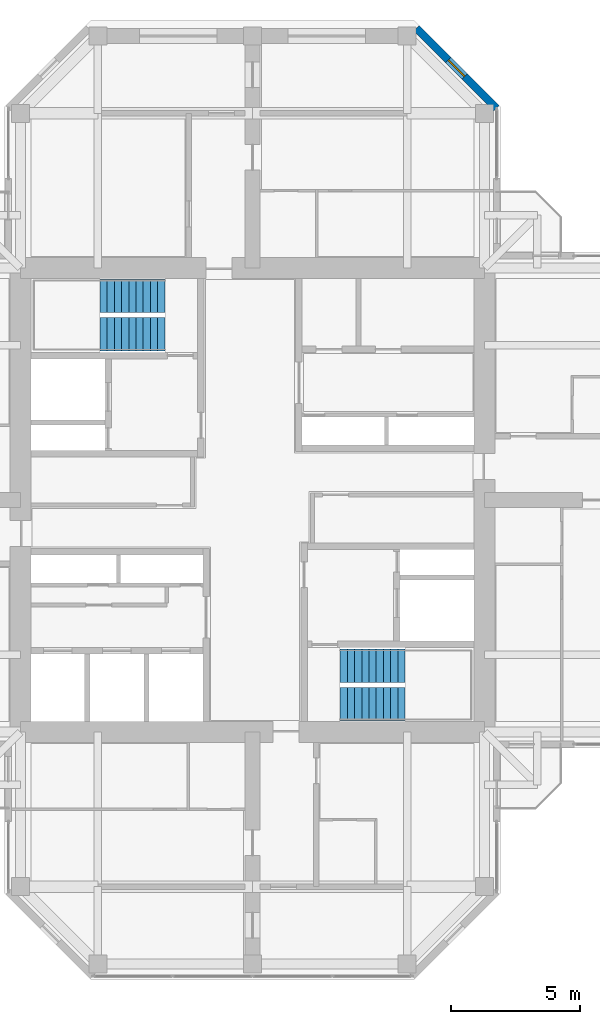
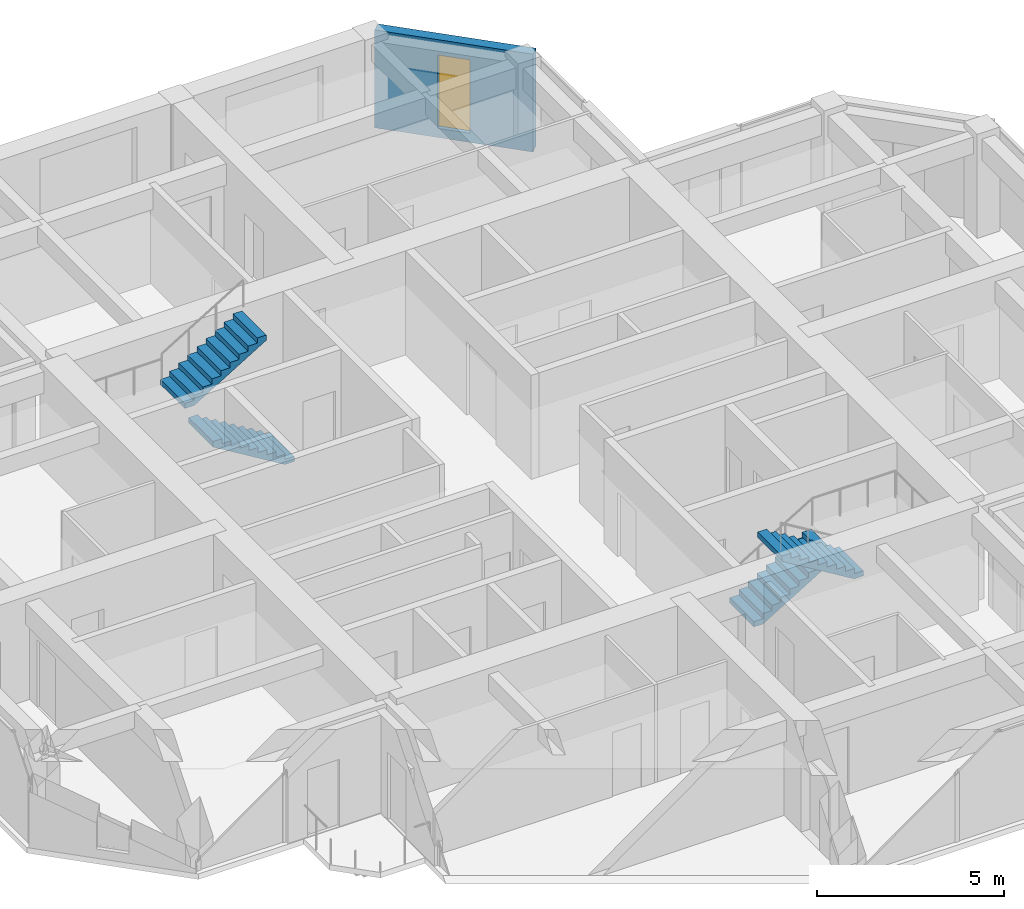
# One storey, part 12 of 13: 4 stair flights, 1 wall, 1 window, 1 opening, 2 elements without a shape of their own.
"""IFC4 building model written with IfcOpenShell, lengths in metres."""

from ifc_helpers import new_model, si_unit, direction, frame, frame_2d, origin, place, context, subcontext, project, spatial, polyline, rectangle, hollow_rectangle, outline, extrude, material, layer, layer_set, constituent, constituent_set, type_object, element, fill, aggregate, save


model = new_model("IFC4")

# Units and contexts
model_context = context("Model", 3, precision=1e-05, world=origin(), true_north=direction((0.0, 1.0)))
body_context = subcontext(model_context, "Body", "Model", "MODEL_VIEW")
ifc_project = project(units=[si_unit("LENGTHUNIT", "METRE"), si_unit("AREAUNIT", "SQUARE_METRE"), si_unit("VOLUMEUNIT", "CUBIC_METRE"), si_unit("PLANEANGLEUNIT", "RADIAN"), si_unit("MASSUNIT", "GRAM", prefix="KILO")], contexts=[model_context])

# Site, building, storey
site_placement = place(None, origin())
site = spatial("IfcSite", under=ifc_project, at=site_placement, CompositionType="ELEMENT")
building_placement = place(site_placement, origin())
building = spatial("IfcBuilding", under=site, at=building_placement, Name="Torre Cruceta", CompositionType="ELEMENT")
storey_placement = place(building_placement, frame((0.0, 0.0, 284.89990234375)))
storey = spatial("IfcBuildingStorey", under=building, at=storey_placement, Name="L74", CompositionType="ELEMENT", Elevation=284.89990234375)

# Wall, opening, window
ifc_material_1 = material(Name="Concrete G30 (fck 30 MPa)", Category="concrete")
ifc_layer = layer(ifc_material_1, 0.300048828125)
ifc_layer_set = layer_set([ifc_layer], Name="Concrete G30 (fck 30 MPa)")
wall_type = type_object("IfcWallType", Name="EXPOSED CONCRETE FACADE WALL 300", PredefinedType="SOLIDWALL", material=ifc_layer_set)
wall_placement = place(storey_placement, frame((9.469970703125, 15.194580078125, 0.0), z_axis=(0.0, 0.0, 1.0), x_axis=(-0.70707898447, 0.707134576811, 0.0)))
wall = element("IfcWall", 1, at=wall_placement, inside=storey, type_object=wall_type, Name="EW1 facade wall L74 N chamfer 06", PredefinedType="SOLIDWALL", context=body_context, shape_type="SweptSolid", body=[
    extrude(rectangle(XDim=4.3916015625, YDim=0.300048828125, at=frame_2d((2.19580078125, 0.0))), origin(), (0.0, 0.0, 1.0), 3.2001953125),
])
opening_placement = place(wall_placement, frame((1.745849609375, 0.0, 0.300048828125)))
opening = element("IfcOpeningElement", 2, at=opening_placement, cuts=wall, Name="Opening WN5", PredefinedType="OPENING", context=body_context, shape_type="SweptSolid", body=[
    extrude(rectangle(XDim=0.89990234375, YDim=2.39990234375, at=frame_2d((0.449951171875, 1.199951171875))), frame((0.0, 0.159912109375, 0.0), z_axis=(0.0, -1.0, 0.0), x_axis=(1.0, 0.0, 0.0)), (0.0, 0.0, 1.0), 0.320068359375),
])
ifc_material_2 = material(Name="Aluminium window frame", Category="aluminium")
ifc_constituent_1 = constituent(ifc_material_2, Name="Frame")
ifc_material_3 = material(Name="Laminated insulating glass unit, low-iron clear", Category="glass")
ifc_constituent_2 = constituent(ifc_material_3, Name="Glazing")
ifc_constituent_set = constituent_set(constituents=[ifc_constituent_1, ifc_constituent_2], Name="Aluminium window")
window_type = type_object("IfcWindowType", Name="CHAMFER SLOT WINDOW 900X2400", PartitioningType="SINGLE_PANEL", PredefinedType="WINDOW", material=ifc_constituent_set)
window_placement = place(opening_placement, origin())
window = element("IfcWindow", 3, at=window_placement, inside=storey, type_object=window_type, Name="WN5 L74 N 1", OverallHeight=2.39990234375, OverallWidth=0.89990234375, PartitioningType="SINGLE_PANEL", PredefinedType="WINDOW", context=body_context, shape_type="SweptSolid", body=[
    extrude(hollow_rectangle(XDim=0.89990234375, YDim=2.39990234375, WallThickness=0.06005859375, at=frame_2d((0.449951171875, 1.199951171875))), frame((0.0, 0.030029296875, 0.0), z_axis=(0.0, -1.0, 0.0), x_axis=(1.0, 0.0, 0.0)), (0.0, 0.0, 1.0), 0.06005859375),
    extrude(rectangle(XDim=0.77880859375, YDim=2.27880859375, at=frame_2d((0.449951171875, 1.199951171875))), frame((0.0, 0.030029296875, 0.0), z_axis=(0.0, -1.0, 0.0), x_axis=(1.0, 0.0, 0.0)), (0.0, 0.0, 1.0), 0.06005859375),
])
fill(opening, window)

# Stair, stair flights
ifc_material_4 = material(Name="Concrete G30 (fck 30 MPa)", Category="concrete")
stair_type = type_object("IfcStairType", Name="STAIR HALF-TURN 1300", PredefinedType="HALF_TURN_STAIR", material=ifc_material_4)
stair_1_placement = place(storey_placement, origin())
stair_1 = element("IfcStair", 4, at=stair_1_placement, inside=storey, type_object=stair_type, Name="Stair ST1 L74", PredefinedType="HALF_TURN_STAIR")
ifc_material_5 = material(Name="Concrete G30 (fck 30 MPa)", Category="concrete")
stair_flight_type = type_object("IfcStairFlightType", Name="STAIR FLIGHT 1300", PredefinedType="STRAIGHT", material=ifc_material_5)
stair_flight_1_placement = place(storey_placement, frame((-3.39990234375, 6.425048828125, 0.0), z_axis=(0.0, 0.0, 1.0), x_axis=(-1.0, 0.0, 0.0)))
stair_flight_1 = element("IfcStairFlight", 5, at=stair_flight_1_placement, type_object=stair_flight_type, Name="ST1 flight 1", NumberOfRisers=10, NumberOfTreads=9, PredefinedType="STRAIGHT", RiserHeight=0.17, TreadLength=0.28, context=body_context, shape_type="SweptSolid", body=[
    extrude(outline(polyline([(0.0, 0.0), (0.0, 0.169921875), (0.280029296875, 0.169921875), (0.280029296875, 0.340087890625), (0.56005859375, 0.340087890625), (0.56005859375, 0.510009765625), (0.840087890625, 0.510009765625), (0.840087890625, 0.679931640625), (1.1201171875, 0.679931640625), (1.1201171875, 0.85009765625), (1.39990234375, 0.85009765625), (1.39990234375, 1.02001953125), (1.679931640625, 1.02001953125), (1.679931640625, 1.18994140625), (1.9599609375, 1.18994140625), (1.9599609375, 1.360107421875), (2.239990234375, 1.360107421875), (2.239990234375, 1.530029296875), (2.52001953125, 1.530029296875), (2.52001953125, 1.699951171875), (2.52001953125, 1.354736328125), (0.288818359375, 0.0), (0.0, 0.0)])), frame((0.0, 0.64990234375, 0.0), z_axis=(0.0, -1.0, 0.0), x_axis=(1.0, 0.0, 0.0)), (0.0, 0.0, 1.0), 1.300048828125),
])
stair_flight_2_placement = place(storey_placement, frame((-5.919921875, 7.925048828125, 1.7001953125), z_axis=(0.0, 0.0, 1.0), x_axis=(1.0, 0.0, 0.0)))
stair_flight_2 = element("IfcStairFlight", 6, at=stair_flight_2_placement, type_object=stair_flight_type, Name="ST1 flight 2", NumberOfRisers=10, NumberOfTreads=9, PredefinedType="STRAIGHT", RiserHeight=0.17, TreadLength=0.28, context=body_context, shape_type="SweptSolid", body=[
    extrude(outline(polyline([(0.0, 0.0), (0.0, 0.169921875), (0.280029296875, 0.169921875), (0.280029296875, 0.340087890625), (0.56005859375, 0.340087890625), (0.56005859375, 0.510009765625), (0.840087890625, 0.510009765625), (0.840087890625, 0.679931640625), (1.1201171875, 0.679931640625), (1.1201171875, 0.85009765625), (1.39990234375, 0.85009765625), (1.39990234375, 1.02001953125), (1.679931640625, 1.02001953125), (1.679931640625, 1.18994140625), (1.9599609375, 1.18994140625), (1.9599609375, 1.360107421875), (2.239990234375, 1.360107421875), (2.239990234375, 1.530029296875), (2.52001953125, 1.530029296875), (2.52001953125, 1.699951171875), (2.52001953125, 1.354736328125), (0.288818359375, 0.0), (0.0, 0.0)])), frame((0.0, 0.64990234375, 0.0), z_axis=(0.0, -1.0, 0.0), x_axis=(1.0, 0.0, 0.0)), (0.0, 0.0, 1.0), 1.300048828125),
])
aggregate(stair_1, [stair_flight_1, stair_flight_2])

stair_2_placement = place(storey_placement, origin())
stair_2 = element("IfcStair", 7, at=stair_2_placement, inside=storey, type_object=stair_type, Name="Stair ST2 L74", PredefinedType="HALF_TURN_STAIR")
stair_flight_3_placement = place(storey_placement, frame((3.39990234375, -6.425048828125, 0.0), z_axis=(0.0, 0.0, 1.0), x_axis=(1.0, 0.0, 0.0)))
stair_flight_3 = element("IfcStairFlight", 8, at=stair_flight_3_placement, type_object=stair_flight_type, Name="ST2 flight 1", NumberOfRisers=10, NumberOfTreads=9, PredefinedType="STRAIGHT", RiserHeight=0.17, TreadLength=0.28, context=body_context, shape_type="SweptSolid", body=[
    extrude(outline(polyline([(0.0, 0.0), (0.0, 0.169921875), (0.280029296875, 0.169921875), (0.280029296875, 0.340087890625), (0.56005859375, 0.340087890625), (0.56005859375, 0.510009765625), (0.840087890625, 0.510009765625), (0.840087890625, 0.679931640625), (1.1201171875, 0.679931640625), (1.1201171875, 0.85009765625), (1.39990234375, 0.85009765625), (1.39990234375, 1.02001953125), (1.679931640625, 1.02001953125), (1.679931640625, 1.18994140625), (1.9599609375, 1.18994140625), (1.9599609375, 1.360107421875), (2.239990234375, 1.360107421875), (2.239990234375, 1.530029296875), (2.52001953125, 1.530029296875), (2.52001953125, 1.699951171875), (2.52001953125, 1.354736328125), (0.288818359375, 0.0), (0.0, 0.0)])), frame((0.0, 0.64990234375, 0.0), z_axis=(0.0, -1.0, 0.0), x_axis=(1.0, 0.0, 0.0)), (0.0, 0.0, 1.0), 1.300048828125),
])
stair_flight_4_placement = place(storey_placement, frame((5.919921875, -7.925048828125, 1.7001953125), z_axis=(0.0, 0.0, 1.0), x_axis=(-1.0, 0.0, 0.0)))
stair_flight_4 = element("IfcStairFlight", 9, at=stair_flight_4_placement, type_object=stair_flight_type, Name="ST2 flight 2", NumberOfRisers=10, NumberOfTreads=9, PredefinedType="STRAIGHT", RiserHeight=0.17, TreadLength=0.28, context=body_context, shape_type="SweptSolid", body=[
    extrude(outline(polyline([(0.0, 0.0), (0.0, 0.169921875), (0.280029296875, 0.169921875), (0.280029296875, 0.340087890625), (0.56005859375, 0.340087890625), (0.56005859375, 0.510009765625), (0.840087890625, 0.510009765625), (0.840087890625, 0.679931640625), (1.1201171875, 0.679931640625), (1.1201171875, 0.85009765625), (1.39990234375, 0.85009765625), (1.39990234375, 1.02001953125), (1.679931640625, 1.02001953125), (1.679931640625, 1.18994140625), (1.9599609375, 1.18994140625), (1.9599609375, 1.360107421875), (2.239990234375, 1.360107421875), (2.239990234375, 1.530029296875), (2.52001953125, 1.530029296875), (2.52001953125, 1.699951171875), (2.52001953125, 1.354736328125), (0.288818359375, 0.0), (0.0, 0.0)])), frame((0.0, 0.64990234375, 0.0), z_axis=(0.0, -1.0, 0.0), x_axis=(1.0, 0.0, 0.0)), (0.0, 0.0, 1.0), 1.300048828125),
])
aggregate(stair_2, [stair_flight_3, stair_flight_4])

save(model, "model.ifc")
